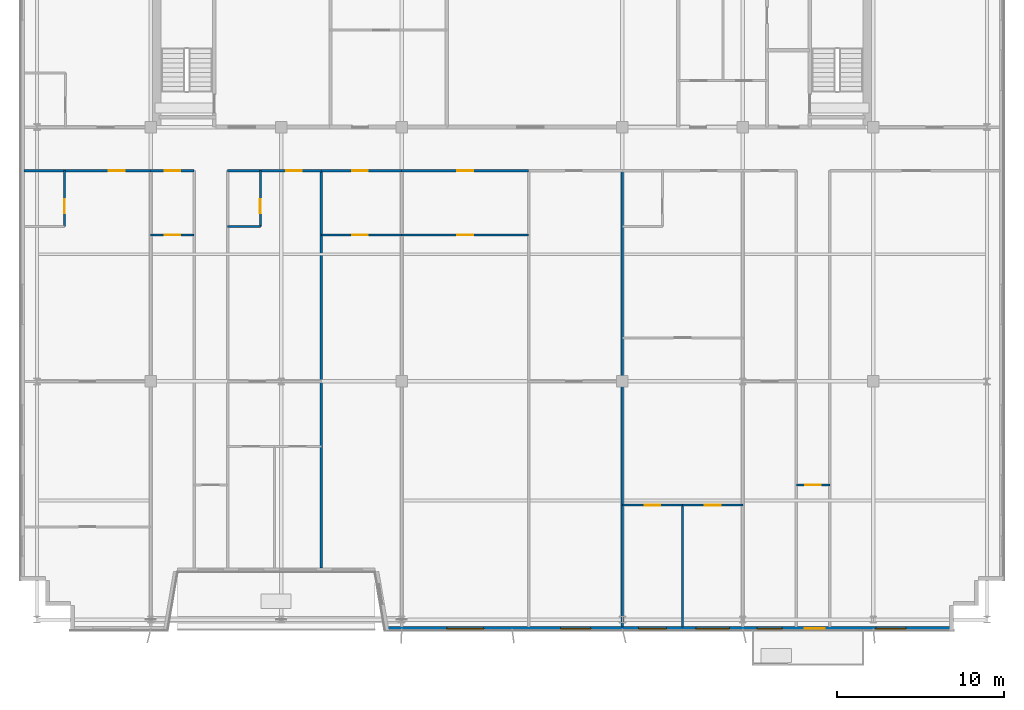
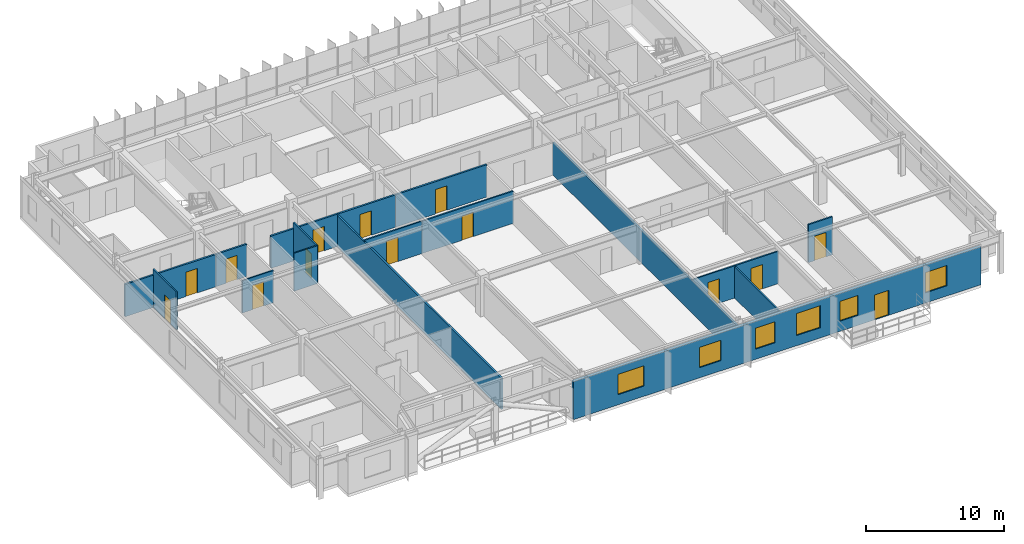
# One storey, part 15 of 20: 18 walls, 14 doors, 6 windows, 20 openings.
"""IFC4 building model written with IfcOpenShell, lengths in metres."""

from ifc_helpers import new_model, si_unit, direction, frame, frame_2d, origin, place, context, subcontext, project, spatial, rectangle, extrude, source, transform, mapped, material, layer, layer_set, type_object, element, fill, save


model = new_model("IFC4")

# Units and contexts
model_context = context("Model", 3, precision=1e-05, world=origin(), true_north=direction((0.0, 1.0)))
body_context = subcontext(model_context, "Body", "Model", "MODEL_VIEW")
ifc_project = project(units=[si_unit("LENGTHUNIT", "METRE"), si_unit("AREAUNIT", "SQUARE_METRE"), si_unit("VOLUMEUNIT", "CUBIC_METRE"), si_unit("PLANEANGLEUNIT", "RADIAN"), si_unit("MASSUNIT", "GRAM", prefix="KILO")], contexts=[model_context])

# Site, building, storey
site_placement = place(None, origin())
site = spatial("IfcSite", under=ifc_project, at=site_placement, CompositionType="ELEMENT")
building_placement = place(site_placement, origin())
building = spatial("IfcBuilding", under=site, at=building_placement, Name="Trelvane Seafront Commons", CompositionType="ELEMENT")
storey_placement = place(building_placement, frame((0.0, 0.0, 171.699951171875)))
storey = spatial("IfcBuildingStorey", under=building, at=storey_placement, Name="L45", CompositionType="ELEMENT", Elevation=171.699951171875)

# Wall, openings, door, windows
ifc_material_1 = material(Name="Precast concrete C40/50", Category="concrete")
ifc_layer_1 = layer(ifc_material_1, 0.239990234375, Name="ARCH-WALL-EXT240")
ifc_layer_set_1 = layer_set([ifc_layer_1], Name="Precast concrete C40/50")
wall_type_1 = type_object("IfcWallType", Name="ARCH-WALL-EXT240", PredefinedType="SOLIDWALL", material=ifc_layer_set_1)
wall_1_placement = place(storey_placement, frame((63.60009765625, 3.419921875, 0.0), z_axis=(0.0, 0.0, 1.0), x_axis=(-1.0, 0.0, 0.0)))
wall_1 = element("IfcWall", 1, at=wall_1_placement, inside=storey, type_object=wall_type_1, Name="EW-L45-00903", PredefinedType="SOLIDWALL", context=body_context, shape_type="SweptSolid", body=[
    extrude(rectangle(XDim=34.0, YDim=0.239990234375, at=frame_2d((17.0, 0.0))), origin(), (0.0, 0.0, 1.0), 3.35009765625),
])
opening_1_placement = place(wall_1_placement, frame((2.844970703125, 0.0, 0.89990234375)))
opening_1 = element("IfcOpeningElement", 2, at=opening_1_placement, cuts=wall_1, Name="Opening W01", PredefinedType="OPENING", context=body_context, shape_type="SweptSolid", body=[
    extrude(rectangle(XDim=1.800048828125, YDim=1.800048828125, at=frame_2d((0.89990234375, 0.89990234375))), frame((0.0, 0.1298828125, 0.0), z_axis=(0.0, -1.0, 0.0), x_axis=(1.0, 0.0, 0.0)), (0.0, 0.0, 1.0), 0.260009765625),
])
opening_2_placement = place(wall_1_placement, frame((7.68994140625, 0.0, 0.0)))
opening_2 = element("IfcOpeningElement", 3, at=opening_2_placement, cuts=wall_1, Name="Opening BD-L45-103", PredefinedType="OPENING", context=body_context, shape_type="SweptSolid", body=[
    extrude(rectangle(XDim=1.199951171875, YDim=2.199951171875, at=frame_2d((0.60009765625, 1.10009765625))), frame((0.0, 0.1298828125, 0.0), z_axis=(0.0, -1.0, 0.0), x_axis=(1.0, 0.0, 0.0)), (0.0, 0.0, 1.0), 0.260009765625),
])
opening_3_placement = place(wall_1_placement, frame((10.25, 0.0, 0.89990234375)))
opening_3 = element("IfcOpeningElement", 4, at=opening_3_placement, cuts=wall_1, Name="Opening W03", PredefinedType="OPENING", context=body_context, shape_type="SweptSolid", body=[
    extrude(rectangle(XDim=1.5, YDim=1.75, at=frame_2d((0.75, 0.875))), frame((0.0, 0.1298828125, 0.0), z_axis=(0.0, -1.0, 0.0), x_axis=(1.0, 0.0, 0.0)), (0.0, 0.0, 1.0), 0.260009765625),
])
opening_4_placement = place(wall_1_placement, frame((13.39990234375, 0.0, 0.89990234375)))
opening_4 = element("IfcOpeningElement", 5, at=opening_4_placement, cuts=wall_1, Name="Opening W06", PredefinedType="OPENING", context=body_context, shape_type="SweptSolid", body=[
    extrude(rectangle(XDim=2.0, YDim=1.949951171875, at=frame_2d((1.0, 0.97509765625))), frame((0.0, 0.1298828125, 0.0), z_axis=(0.0, -1.0, 0.0), x_axis=(1.0, 0.0, 0.0)), (0.0, 0.0, 1.0), 0.260009765625),
])
opening_5_placement = place(wall_1_placement, frame((17.175048828125, 0.0, 0.89990234375)))
opening_5 = element("IfcOpeningElement", 6, at=opening_5_placement, cuts=wall_1, Name="Opening W07", PredefinedType="OPENING", context=body_context, shape_type="SweptSolid", body=[
    extrude(rectangle(XDim=1.64990234375, YDim=1.85009765625, at=frame_2d((0.824951171875, 0.925048828125))), frame((0.0, 0.1298828125, 0.0), z_axis=(0.0, -1.0, 0.0), x_axis=(1.0, 0.0, 0.0)), (0.0, 0.0, 1.0), 0.260009765625),
])
opening_6_placement = place(wall_1_placement, frame((21.699951171875, 0.0, 0.89990234375)))
opening_6 = element("IfcOpeningElement", 7, at=opening_6_placement, cuts=wall_1, Name="Opening W01", PredefinedType="OPENING", context=body_context, shape_type="SweptSolid", body=[
    extrude(rectangle(XDim=1.800048828125, YDim=1.800048828125, at=frame_2d((0.89990234375, 0.89990234375))), frame((0.0, 0.1298828125, 0.0), z_axis=(0.0, -1.0, 0.0), x_axis=(1.0, 0.0, 0.0)), (0.0, 0.0, 1.0), 0.260009765625),
])
opening_7_placement = place(wall_1_placement, frame((28.10009765625, 0.0, 0.89990234375)))
opening_7 = element("IfcOpeningElement", 8, at=opening_7_placement, cuts=wall_1, Name="Opening W02", PredefinedType="OPENING", context=body_context, shape_type="SweptSolid", body=[
    extrude(rectangle(XDim=2.199951171875, YDim=1.800048828125, at=frame_2d((1.10009765625, 0.89990234375))), frame((0.0, 0.1298828125, 0.0), z_axis=(0.0, -1.0, 0.0), x_axis=(1.0, 0.0, 0.0)), (0.0, 0.0, 1.0), 0.260009765625),
])
ifc_material_2 = material(Name="Powder-coated aluminium frame", Category="aluminium")
door_type_1 = type_object("IfcDoorType", Name="ARCH-DR-BAL1200", OperationType="NOTDEFINED", PredefinedType="DOOR", material=ifc_material_2)
shared_shape_1 = source(origin(), body_context, "Body", "SweptSolid", [
    extrude(rectangle(XDim=1.199951171875, YDim=2.199951171875, at=frame_2d((0.60009765625, 1.10009765625))), frame((0.0, 0.02490234375, 0.0), z_axis=(0.0, -1.0, 0.0), x_axis=(1.0, 0.0, 0.0)), (0.0, 0.0, 1.0), 0.050048828125),
])
door_1_placement = place(opening_2_placement, origin())
door_1 = element("IfcDoor", 9, at=door_1_placement, inside=storey, type_object=door_type_1, Name="L45 Balcony Terrace Access Door", OperationType="SINGLE_SWING_LEFT", OverallHeight=2.199951171875, OverallWidth=1.199951171875, PredefinedType="DOOR", context=body_context, shape_type="MappedRepresentation", body=[
    mapped(shared_shape_1, transform((0.0, 0.0, 0.0), x_axis=(1.0, 0.0, 0.0), y_axis=(0.0, 1.0, 0.0), z_axis=(0.0, 0.0, 1.0), scale=1.0)),
])
fill(opening_2, door_1)
ifc_material_3 = material(Name="Low-E coastal double glazing", Category="glass")
window_type_1 = type_object("IfcWindowType", Name="ARCH-WIN-W02", PartitioningType="SINGLE_PANEL", PredefinedType="WINDOW", material=ifc_material_3)
shared_shape_2 = source(origin(), body_context, "Body", "SweptSolid", [
    extrude(rectangle(XDim=2.199951171875, YDim=1.800048828125, at=frame_2d((1.10009765625, 0.89990234375))), frame((0.0, 0.030029296875, 0.0), z_axis=(0.0, -1.0, 0.0), x_axis=(1.0, 0.0, 0.0)), (0.0, 0.0, 1.0), 0.06005859375),
])
window_1_placement = place(opening_7_placement, origin())
window_1 = element("IfcWindow", 10, at=window_1_placement, inside=storey, type_object=window_type_1, Name="WIN-L45-01084", OverallHeight=1.800048828125, OverallWidth=2.199951171875, PartitioningType="SINGLE_PANEL", PredefinedType="WINDOW", context=body_context, shape_type="MappedRepresentation", body=[
    mapped(shared_shape_2, transform((0.0, 0.0, 0.0), x_axis=(1.0, 0.0, 0.0), y_axis=(0.0, 1.0, 0.0), z_axis=(0.0, 0.0, 1.0), scale=1.0)),
])
fill(opening_7, window_1)
window_type_2 = type_object("IfcWindowType", Name="ARCH-WIN-W03", PartitioningType="SINGLE_PANEL", PredefinedType="WINDOW", material=ifc_material_3)
shared_shape_3 = source(origin(), body_context, "Body", "SweptSolid", [
    extrude(rectangle(XDim=1.5, YDim=1.75, at=frame_2d((0.75, 0.875))), frame((0.0, 0.030029296875, 0.0), z_axis=(0.0, -1.0, 0.0), x_axis=(1.0, 0.0, 0.0)), (0.0, 0.0, 1.0), 0.06005859375),
])
window_2_placement = place(opening_3_placement, origin())
window_2 = element("IfcWindow", 11, at=window_2_placement, inside=storey, type_object=window_type_2, Name="WIN-L45-01080", OverallHeight=1.75, OverallWidth=1.5, PartitioningType="SINGLE_PANEL", PredefinedType="WINDOW", context=body_context, shape_type="MappedRepresentation", body=[
    mapped(shared_shape_3, transform((0.0, 0.0, 0.0), x_axis=(1.0, 0.0, 0.0), y_axis=(0.0, 1.0, 0.0), z_axis=(0.0, 0.0, 1.0), scale=1.0)),
])
fill(opening_3, window_2)
window_type_3 = type_object("IfcWindowType", Name="ARCH-WIN-W06", PartitioningType="SINGLE_PANEL", PredefinedType="WINDOW", material=ifc_material_3)
shared_shape_4 = source(origin(), body_context, "Body", "SweptSolid", [
    extrude(rectangle(XDim=2.0, YDim=1.949951171875, at=frame_2d((1.0, 0.97509765625))), frame((0.0, 0.030029296875, 0.0), z_axis=(0.0, -1.0, 0.0), x_axis=(1.0, 0.0, 0.0)), (0.0, 0.0, 1.0), 0.06005859375),
])
window_3_placement = place(opening_4_placement, origin())
window_3 = element("IfcWindow", 12, at=window_3_placement, inside=storey, type_object=window_type_3, Name="WIN-L45-01081", OverallHeight=1.949951171875, OverallWidth=2.0, PartitioningType="SINGLE_PANEL", PredefinedType="WINDOW", context=body_context, shape_type="MappedRepresentation", body=[
    mapped(shared_shape_4, transform((0.0, 0.0, 0.0), x_axis=(1.0, 0.0, 0.0), y_axis=(0.0, 1.0, 0.0), z_axis=(0.0, 0.0, 1.0), scale=1.0)),
])
fill(opening_4, window_3)
window_type_4 = type_object("IfcWindowType", Name="ARCH-WIN-W01", PartitioningType="SINGLE_PANEL", PredefinedType="WINDOW", material=ifc_material_3)
shared_shape_5 = source(origin(), body_context, "Body", "SweptSolid", [
    extrude(rectangle(XDim=1.800048828125, YDim=1.800048828125, at=frame_2d((0.89990234375, 0.89990234375))), frame((0.0, 0.030029296875, 0.0), z_axis=(0.0, -1.0, 0.0), x_axis=(1.0, 0.0, 0.0)), (0.0, 0.0, 1.0), 0.06005859375),
])
window_4_placement = place(opening_1_placement, origin())
window_4 = element("IfcWindow", 13, at=window_4_placement, inside=storey, type_object=window_type_4, Name="WIN-L45-01079", OverallHeight=1.800048828125, OverallWidth=1.800048828125, PartitioningType="SINGLE_PANEL", PredefinedType="WINDOW", context=body_context, shape_type="MappedRepresentation", body=[
    mapped(shared_shape_5, transform((0.0, 0.0, 0.0), x_axis=(1.0, 0.0, 0.0), y_axis=(0.0, 1.0, 0.0), z_axis=(0.0, 0.0, 1.0), scale=1.0)),
])
fill(opening_1, window_4)
window_5_placement = place(opening_6_placement, origin())
window_5 = element("IfcWindow", 14, at=window_5_placement, inside=storey, type_object=window_type_4, Name="WIN-L45-01083", OverallHeight=1.800048828125, OverallWidth=1.800048828125, PartitioningType="SINGLE_PANEL", PredefinedType="WINDOW", context=body_context, shape_type="MappedRepresentation", body=[
    mapped(shared_shape_5, transform((0.0, 0.0, 0.0), x_axis=(1.0, 0.0, 0.0), y_axis=(0.0, 1.0, 0.0), z_axis=(0.0, 0.0, 1.0), scale=1.0)),
])
fill(opening_6, window_5)
window_type_5 = type_object("IfcWindowType", Name="ARCH-WIN-W07", PartitioningType="SINGLE_PANEL", PredefinedType="WINDOW", material=ifc_material_3)
shared_shape_6 = source(origin(), body_context, "Body", "SweptSolid", [
    extrude(rectangle(XDim=1.64990234375, YDim=1.85009765625, at=frame_2d((0.824951171875, 0.925048828125))), frame((0.0, 0.030029296875, 0.0), z_axis=(0.0, -1.0, 0.0), x_axis=(1.0, 0.0, 0.0)), (0.0, 0.0, 1.0), 0.06005859375),
])
window_6_placement = place(opening_5_placement, origin())
window_6 = element("IfcWindow", 15, at=window_6_placement, inside=storey, type_object=window_type_5, Name="WIN-L45-01082", OverallHeight=1.85009765625, OverallWidth=1.64990234375, PartitioningType="SINGLE_PANEL", PredefinedType="WINDOW", context=body_context, shape_type="MappedRepresentation", body=[
    mapped(shared_shape_6, transform((0.0, 0.0, 0.0), x_axis=(1.0, 0.0, 0.0), y_axis=(0.0, 1.0, 0.0), z_axis=(0.0, 0.0, 1.0), scale=1.0)),
])
fill(opening_5, window_6)

# Wall, opening, door
ifc_material_4 = material(Name="Gypsum Drywall Acoustic Partition")
ifc_layer_2 = layer(ifc_material_4, 0.1201171875, Name="ARCH-WALL-PART120")
ifc_layer_set_2 = layer_set([ifc_layer_2], Name="Gypsum Drywall Acoustic Partition")
wall_type_2 = type_object("IfcWallType", Name="ARCH-WALL-PART120", PredefinedType="PARTITIONING", material=ifc_layer_set_2)
wall_2_placement = place(storey_placement, frame((10.43994140625, 27.449951171875, 0.0), z_axis=(0.0, 0.0, 1.0), x_axis=(0.0, 1.0, 0.0)))
wall_2 = element("IfcWall", 16, at=wall_2_placement, inside=storey, type_object=wall_type_2, Name="W-L45-U1-BE-053", PredefinedType="PARTITIONING", context=body_context, shape_type="SweptSolid", body=[
    extrude(rectangle(XDim=3.35009765625, YDim=0.1201171875, at=frame_2d((1.675048828125, 0.0))), origin(), (0.0, 0.0, 1.0), 3.35009765625),
])
opening_8_placement = place(wall_2_placement, frame((0.800048828125, 0.0, 0.0)))
opening_8 = element("IfcOpeningElement", 17, at=opening_8_placement, cuts=wall_2, Name="Opening D-L45-29", PredefinedType="OPENING", context=body_context, shape_type="SweptSolid", body=[
    extrude(rectangle(XDim=0.85009765625, YDim=2.10009765625, at=frame_2d((0.425048828125, 1.050048828125))), frame((0.0, 0.070068359375, 0.0), z_axis=(0.0, -1.0, 0.0), x_axis=(1.0, 0.0, 0.0)), (0.0, 0.0, 1.0), 0.14013671875),
])
ifc_material_5 = material(Name="Acoustic timber door leaf", Category="wood")
door_type_2 = type_object("IfcDoorType", Name="ARCH-DR-INT850", OperationType="NOTDEFINED", PredefinedType="DOOR", material=ifc_material_5)
shared_shape_7 = source(origin(), body_context, "Body", "SweptSolid", [
    extrude(rectangle(XDim=0.85009765625, YDim=2.10009765625, at=frame_2d((0.425048828125, 1.050048828125))), frame((0.0, 0.02490234375, 0.0), z_axis=(0.0, -1.0, 0.0), x_axis=(1.0, 0.0, 0.0)), (0.0, 0.0, 1.0), 0.050048828125),
])
door_2_placement = place(opening_8_placement, origin())
door_2 = element("IfcDoor", 18, at=door_2_placement, inside=storey, type_object=door_type_2, Name="L45 Door 29", OperationType="SINGLE_SWING_LEFT", OverallHeight=2.10009765625, OverallWidth=0.85009765625, PredefinedType="DOOR", context=body_context, shape_type="MappedRepresentation", body=[
    mapped(shared_shape_7, transform((0.0, 0.0, 0.0), x_axis=(1.0, 0.0, 0.0), y_axis=(0.0, 1.0, 0.0), z_axis=(0.0, 0.0, 1.0), scale=1.0)),
])
fill(opening_8, door_2)

wall_3_placement = place(storey_placement, frame((15.60009765625, 26.949951171875, 0.0), z_axis=(0.0, 0.0, 1.0), x_axis=(1.0, 0.0, 0.0)))
wall_3 = element("IfcWall", 19, at=wall_3_placement, inside=storey, type_object=wall_type_2, Name="W-L45-U2-DIV-058", PredefinedType="PARTITIONING", context=body_context, shape_type="SweptSolid", body=[
    extrude(rectangle(XDim=2.599853515625, YDim=0.1201171875, at=frame_2d((1.2998046875, 0.0))), origin(), (0.0, 0.0, 1.0), 2.85009765625),
])
opening_9_placement = place(wall_3_placement, frame((0.824951171875, 0.0, 0.0)))
opening_9 = element("IfcOpeningElement", 20, at=opening_9_placement, cuts=wall_3, Name="Opening D-L45-33", PredefinedType="OPENING", context=body_context, shape_type="SweptSolid", body=[
    extrude(rectangle(XDim=0.949951171875, YDim=2.14990234375, at=frame_2d((0.47509765625, 1.074951171875))), frame((0.0, 0.070068359375, 0.0), z_axis=(0.0, -1.0, 0.0), x_axis=(1.0, 0.0, 0.0)), (0.0, 0.0, 1.0), 0.14013671875),
])
door_type_3 = type_object("IfcDoorType", Name="ARCH-DR-INT950", OperationType="NOTDEFINED", PredefinedType="DOOR", material=ifc_material_5)
shared_shape_8 = source(origin(), body_context, "Body", "SweptSolid", [
    extrude(rectangle(XDim=0.949951171875, YDim=2.14990234375, at=frame_2d((0.47509765625, 1.074951171875))), frame((0.0, 0.02490234375, 0.0), z_axis=(0.0, -1.0, 0.0), x_axis=(1.0, 0.0, 0.0)), (0.0, 0.0, 1.0), 0.050048828125),
])
door_3_placement = place(opening_9_placement, origin())
door_3 = element("IfcDoor", 21, at=door_3_placement, inside=storey, type_object=door_type_3, Name="L45 Door 33", OperationType="SINGLE_SWING_LEFT", OverallHeight=2.14990234375, OverallWidth=0.949951171875, PredefinedType="DOOR", context=body_context, shape_type="MappedRepresentation", body=[
    mapped(shared_shape_8, transform((0.0, 0.0, 0.0), x_axis=(1.0, 0.0, 0.0), y_axis=(0.0, 1.0, 0.0), z_axis=(0.0, 0.0, 1.0), scale=1.0)),
])
fill(opening_9, door_3)

wall_4_placement = place(storey_placement, frame((22.154052734375, 27.449951171875, 0.0), z_axis=(0.0, 0.0, 1.0), x_axis=(0.0, 1.0, 0.0)))
wall_4 = element("IfcWall", 22, at=wall_4_placement, inside=storey, type_object=wall_type_2, Name="W-L45-U4-BE-063", PredefinedType="PARTITIONING", context=body_context, shape_type="SweptSolid", body=[
    extrude(rectangle(XDim=3.35009765625, YDim=0.1201171875, at=frame_2d((1.675048828125, 0.0))), origin(), (0.0, 0.0, 1.0), 3.35009765625),
])
opening_10_placement = place(wall_4_placement, frame((0.800048828125, 0.0, 0.0)))
opening_10 = element("IfcOpeningElement", 23, at=opening_10_placement, cuts=wall_4, Name="Opening D-L45-36", PredefinedType="OPENING", context=body_context, shape_type="SweptSolid", body=[
    extrude(rectangle(XDim=0.85009765625, YDim=2.10009765625, at=frame_2d((0.425048828125, 1.050048828125))), frame((0.0, 0.070068359375, 0.0), z_axis=(0.0, -1.0, 0.0), x_axis=(1.0, 0.0, 0.0)), (0.0, 0.0, 1.0), 0.14013671875),
])
door_4_placement = place(opening_10_placement, origin())
door_4 = element("IfcDoor", 24, at=door_4_placement, inside=storey, type_object=door_type_2, Name="L45 Door 36", OperationType="SINGLE_SWING_RIGHT", OverallHeight=2.10009765625, OverallWidth=0.85009765625, PredefinedType="DOOR", context=body_context, shape_type="MappedRepresentation", body=[
    mapped(shared_shape_7, transform((0.0, 0.0, 0.0), x_axis=(1.0, 0.0, 0.0), y_axis=(0.0, 1.0, 0.0), z_axis=(0.0, 0.0, 1.0), scale=1.0)),
])
fill(opening_10, door_4)

# Wall
wall_5_placement = place(storey_placement, frame((20.199951171875, 27.449951171875, 0.0), z_axis=(0.0, 0.0, 1.0), x_axis=(1.0, 0.0, 0.0)))
element("IfcWall", 25, at=wall_5_placement, inside=storey, type_object=wall_type_2, Name="W-L45-U4-BS-064", PredefinedType="PARTITIONING", context=body_context, shape_type="SweptSolid", body=[
    extrude(rectangle(XDim=1.9541015625, YDim=0.1201171875, at=frame_2d((0.97705078125, 0.0))), origin(), (0.0, 0.0, 1.0), 3.35009765625),
])

# Wall, opening, door
wall_6_placement = place(storey_placement, frame((25.800048828125, 26.949951171875, 0.0), z_axis=(0.0, 0.0, 1.0), x_axis=(1.0, 0.0, 0.0)))
wall_6 = element("IfcWall", 26, at=wall_6_placement, inside=storey, type_object=wall_type_2, Name="W-L45-U5-DIV-070", PredefinedType="PARTITIONING", context=body_context, shape_type="SweptSolid", body=[
    extrude(rectangle(XDim=4.800048828125, YDim=0.1201171875, at=frame_2d((2.39990234375, 0.0))), origin(), (0.0, 0.0, 1.0), 2.85009765625),
])
opening_11_placement = place(wall_6_placement, frame((1.833984375, 0.0, 0.0)))
opening_11 = element("IfcOpeningElement", 27, at=opening_11_placement, cuts=wall_6, Name="Opening D-L45-41", PredefinedType="OPENING", context=body_context, shape_type="SweptSolid", body=[
    extrude(rectangle(XDim=0.949951171875, YDim=2.14990234375, at=frame_2d((0.47509765625, 1.074951171875))), frame((0.0, 0.070068359375, 0.0), z_axis=(0.0, -1.0, 0.0), x_axis=(1.0, 0.0, 0.0)), (0.0, 0.0, 1.0), 0.14013671875),
])
door_5_placement = place(opening_11_placement, origin())
door_5 = element("IfcDoor", 28, at=door_5_placement, inside=storey, type_object=door_type_3, Name="L45 Door 41", OperationType="SINGLE_SWING_LEFT", OverallHeight=2.14990234375, OverallWidth=0.949951171875, PredefinedType="DOOR", context=body_context, shape_type="MappedRepresentation", body=[
    mapped(shared_shape_8, transform((0.0, 0.0, 0.0), x_axis=(1.0, 0.0, 0.0), y_axis=(0.0, 1.0, 0.0), z_axis=(0.0, 0.0, 1.0), scale=1.0)),
])
fill(opening_11, door_5)

wall_7_placement = place(storey_placement, frame((30.60009765625, 26.949951171875, 0.0), z_axis=(0.0, 0.0, 1.0), x_axis=(1.0, 0.0, 0.0)))
wall_7 = element("IfcWall", 29, at=wall_7_placement, inside=storey, type_object=wall_type_2, Name="W-L45-U6-DIV-072", PredefinedType="PARTITIONING", context=body_context, shape_type="SweptSolid", body=[
    extrude(rectangle(XDim=7.599853515625, YDim=0.1201171875, at=frame_2d((3.7998046875, 0.0))), origin(), (0.0, 0.0, 1.0), 2.85009765625),
])
opening_12_placement = place(wall_7_placement, frame((3.324951171875, 0.0, 0.0)))
opening_12 = element("IfcOpeningElement", 30, at=opening_12_placement, cuts=wall_7, Name="Opening D-L45-43", PredefinedType="OPENING", context=body_context, shape_type="SweptSolid", body=[
    extrude(rectangle(XDim=0.949951171875, YDim=2.14990234375, at=frame_2d((0.47509765625, 1.074951171875))), frame((0.0, 0.070068359375, 0.0), z_axis=(0.0, -1.0, 0.0), x_axis=(1.0, 0.0, 0.0)), (0.0, 0.0, 1.0), 0.14013671875),
])
door_6_placement = place(opening_12_placement, origin())
door_6 = element("IfcDoor", 31, at=door_6_placement, inside=storey, type_object=door_type_3, Name="L45 Door 43", OperationType="SINGLE_SWING_LEFT", OverallHeight=2.14990234375, OverallWidth=0.949951171875, PredefinedType="DOOR", context=body_context, shape_type="MappedRepresentation", body=[
    mapped(shared_shape_8, transform((0.0, 0.0, 0.0), x_axis=(1.0, 0.0, 0.0), y_axis=(0.0, 1.0, 0.0), z_axis=(0.0, 0.0, 1.0), scale=1.0)),
])
fill(opening_12, door_6)

wall_8_placement = place(storey_placement, frame((43.800048828125, 10.800048828125, 0.0), z_axis=(0.0, 0.0, 1.0), x_axis=(1.0, 0.0, 0.0)))
wall_8 = element("IfcWall", 32, at=wall_8_placement, inside=storey, type_object=wall_type_2, Name="W-L45-U8-YM-1-079", PredefinedType="PARTITIONING", context=body_context, shape_type="SweptSolid", body=[
    extrude(rectangle(XDim=3.599853515625, YDim=0.1201171875, at=frame_2d((1.7998046875, 0.0))), origin(), (0.0, 0.0, 1.0), 2.85009765625),
])
opening_13_placement = place(wall_8_placement, frame((1.324951171875, 0.0, 0.0)))
opening_13 = element("IfcOpeningElement", 33, at=opening_13_placement, cuts=wall_8, Name="Opening D-L45-49", PredefinedType="OPENING", context=body_context, shape_type="SweptSolid", body=[
    extrude(rectangle(XDim=0.949951171875, YDim=2.14990234375, at=frame_2d((0.47509765625, 1.074951171875))), frame((0.0, 0.070068359375, 0.0), z_axis=(0.0, -1.0, 0.0), x_axis=(1.0, 0.0, 0.0)), (0.0, 0.0, 1.0), 0.14013671875),
])
door_7_placement = place(opening_13_placement, origin())
door_7 = element("IfcDoor", 34, at=door_7_placement, inside=storey, type_object=door_type_3, Name="L45 Door 49", OperationType="SINGLE_SWING_LEFT", OverallHeight=2.14990234375, OverallWidth=0.949951171875, PredefinedType="DOOR", context=body_context, shape_type="MappedRepresentation", body=[
    mapped(shared_shape_8, transform((0.0, 0.0, 0.0), x_axis=(1.0, 0.0, 0.0), y_axis=(0.0, 1.0, 0.0), z_axis=(0.0, 0.0, 1.0), scale=1.0)),
])
fill(opening_13, door_7)

wall_9_placement = place(storey_placement, frame((47.39990234375, 10.800048828125, 0.0), z_axis=(0.0, 0.0, 1.0), x_axis=(1.0, 0.0, 0.0)))
wall_9 = element("IfcWall", 35, at=wall_9_placement, inside=storey, type_object=wall_type_2, Name="W-L45-U8-YM-2-080", PredefinedType="PARTITIONING", context=body_context, shape_type="SweptSolid", body=[
    extrude(rectangle(XDim=3.60009765625, YDim=0.1201171875, at=frame_2d((1.800048828125, 0.0))), origin(), (0.0, 0.0, 1.0), 2.85009765625),
])
opening_14_placement = place(wall_9_placement, frame((1.324951171875, 0.0, 0.0)))
opening_14 = element("IfcOpeningElement", 36, at=opening_14_placement, cuts=wall_9, Name="Opening D-L45-50", PredefinedType="OPENING", context=body_context, shape_type="SweptSolid", body=[
    extrude(rectangle(XDim=0.949951171875, YDim=2.14990234375, at=frame_2d((0.47509765625, 1.074951171875))), frame((0.0, 0.070068359375, 0.0), z_axis=(0.0, -1.0, 0.0), x_axis=(1.0, 0.0, 0.0)), (0.0, 0.0, 1.0), 0.14013671875),
])
door_8_placement = place(opening_14_placement, origin())
door_8 = element("IfcDoor", 37, at=door_8_placement, inside=storey, type_object=door_type_3, Name="L45 Door 50", OperationType="SINGLE_SWING_RIGHT", OverallHeight=2.14990234375, OverallWidth=0.949951171875, PredefinedType="DOOR", context=body_context, shape_type="MappedRepresentation", body=[
    mapped(shared_shape_8, transform((0.0, 0.0, 0.0), x_axis=(1.0, 0.0, 0.0), y_axis=(0.0, 1.0, 0.0), z_axis=(0.0, 0.0, 1.0), scale=1.0)),
])
fill(opening_14, door_8)

# Wall
wall_10_placement = place(storey_placement, frame((47.39990234375, 3.52490234375, 0.0), z_axis=(0.0, 0.0, 1.0), x_axis=(0.0, 1.0, 0.0)))
element("IfcWall", 38, at=wall_10_placement, inside=storey, type_object=wall_type_2, Name="W-L45-U8-BDV-1-081", PredefinedType="PARTITIONING", context=body_context, shape_type="SweptSolid", body=[
    extrude(rectangle(XDim=7.275146484375, YDim=0.1201171875, at=frame_2d((3.6376953125, 0.0))), origin(), (0.0, 0.0, 1.0), 2.75),
])

# Wall, opening, door
wall_11_placement = place(storey_placement, frame((54.199951171875, 12.0, 0.0), z_axis=(0.0, 0.0, 1.0), x_axis=(1.0, 0.0, 0.0)))
wall_11 = element("IfcWall", 39, at=wall_11_placement, inside=storey, type_object=wall_type_2, Name="W-L45-ARM-END-10-086", PredefinedType="PARTITIONING", context=body_context, shape_type="SweptSolid", body=[
    extrude(rectangle(XDim=2.0, YDim=0.1201171875, at=frame_2d((1.0, 0.0))), origin(), (0.0, 0.0, 1.0), 3.35009765625),
])
opening_15_placement = place(wall_11_placement, frame((0.52001953125, 0.0, 0.0)))
opening_15 = element("IfcOpeningElement", 40, at=opening_15_placement, cuts=wall_11, Name="Opening D-L45-53", PredefinedType="OPENING", context=body_context, shape_type="SweptSolid", body=[
    extrude(rectangle(XDim=0.949951171875, YDim=2.14990234375, at=frame_2d((0.47509765625, 1.074951171875))), frame((0.0, 0.070068359375, 0.0), z_axis=(0.0, -1.0, 0.0), x_axis=(1.0, 0.0, 0.0)), (0.0, 0.0, 1.0), 0.14013671875),
])
door_9_placement = place(opening_15_placement, origin())
door_9 = element("IfcDoor", 41, at=door_9_placement, inside=storey, type_object=door_type_3, Name="L45 Door 53", OperationType="SINGLE_SWING_LEFT", OverallHeight=2.14990234375, OverallWidth=0.949951171875, PredefinedType="DOOR", context=body_context, shape_type="MappedRepresentation", body=[
    mapped(shared_shape_8, transform((0.0, 0.0, 0.0), x_axis=(1.0, 0.0, 0.0), y_axis=(0.0, 1.0, 0.0), z_axis=(0.0, 0.0, 1.0), scale=1.0)),
])
fill(opening_15, door_9)

# Walls
ifc_layer_3 = layer(ifc_material_4, 0.14990234375, Name="ARCH-WALL-PART150")
ifc_layer_set_3 = layer_set([ifc_layer_3], Name="Gypsum Drywall Acoustic Partition")
wall_type_3 = type_object("IfcWallType", Name="ARCH-WALL-PART150", PredefinedType="PARTITIONING", material=ifc_layer_set_3)
wall_12_placement = place(storey_placement, frame((25.800048828125, 7.02490234375, 0.0), z_axis=(0.0, 0.0, 1.0), x_axis=(0.0, 1.0, 0.0)))
element("IfcWall", 42, at=wall_12_placement, inside=storey, type_object=wall_type_3, Name="W-L45-PW-4-047", PredefinedType="PARTITIONING", context=body_context, shape_type="SweptSolid", body=[
    extrude(rectangle(XDim=23.775146484375, YDim=0.14990234375, at=frame_2d((11.8876953125, 0.0))), origin(), (0.0, 0.0, 1.0), 2.75),
])
wall_13_placement = place(storey_placement, frame((43.800048828125, 3.52490234375, 0.0), z_axis=(0.0, 0.0, 1.0), x_axis=(0.0, 1.0, 0.0)))
element("IfcWall", 43, at=wall_13_placement, inside=storey, type_object=wall_type_3, Name="W-L45-PW-7-050", PredefinedType="PARTITIONING", context=body_context, shape_type="SweptSolid", body=[
    extrude(rectangle(XDim=27.275146484375, YDim=0.14990234375, at=frame_2d((13.6376953125, 0.0))), origin(), (0.0, 0.0, 1.0), 2.85009765625),
])

# Wall, opening, door
wall_14_placement = place(storey_placement, frame((8.02490234375, 30.800048828125, 0.0), z_axis=(0.0, 0.0, 1.0), x_axis=(1.0, 0.0, 0.0)))
wall_14 = element("IfcWall", 44, at=wall_14_placement, inside=storey, type_object=wall_type_3, Name="W-L45-CS-BAY-1-055", PredefinedType="PARTITIONING", context=body_context, shape_type="SweptSolid", body=[
    extrude(rectangle(XDim=7.5751953125, YDim=0.14990234375, at=frame_2d((3.78759765625, 0.0))), origin(), (0.0, 0.0, 1.0), 2.85009765625),
])
opening_16_placement = place(wall_14_placement, frame((5.072998046875, 0.0, 0.0)))
opening_16 = element("IfcOpeningElement", 45, at=opening_16_placement, cuts=wall_14, Name="Opening FD-L45-30", PredefinedType="OPENING", context=body_context, shape_type="SweptSolid", body=[
    extrude(rectangle(XDim=0.949951171875, YDim=2.14990234375, at=frame_2d((0.47509765625, 1.074951171875))), frame((0.0, 0.0849609375, 0.0), z_axis=(0.0, -1.0, 0.0), x_axis=(1.0, 0.0, 0.0)), (0.0, 0.0, 1.0), 0.169921875),
])
door_type_4 = type_object("IfcDoorType", Name="ARCH-DR-FD60-950", OperationType="NOTDEFINED", PredefinedType="DOOR", material=ifc_material_2)
door_10_placement = place(opening_16_placement, origin())
door_10 = element("IfcDoor", 46, at=door_10_placement, inside=storey, type_object=door_type_4, Name="L45 Unit 01 Entrance Door", OperationType="SINGLE_SWING_RIGHT", OverallHeight=2.14990234375, OverallWidth=0.949951171875, PredefinedType="DOOR", context=body_context, shape_type="MappedRepresentation", body=[
    mapped(shared_shape_8, transform((0.0, 0.0, 0.0), x_axis=(1.0, 0.0, 0.0), y_axis=(0.0, 1.0, 0.0), z_axis=(0.0, 0.0, 1.0), scale=1.0)),
])
fill(opening_16, door_10)

wall_15_placement = place(storey_placement, frame((15.60009765625, 30.800048828125, 0.0), z_axis=(0.0, 0.0, 1.0), x_axis=(1.0, 0.0, 0.0)))
wall_15 = element("IfcWall", 47, at=wall_15_placement, inside=storey, type_object=wall_type_3, Name="W-L45-CS-BAY-2-057", PredefinedType="PARTITIONING", context=body_context, shape_type="SweptSolid", body=[
    extrude(rectangle(XDim=2.599853515625, YDim=0.14990234375, at=frame_2d((1.2998046875, 0.0))), origin(), (0.0, 0.0, 1.0), 2.85009765625),
])
opening_17_placement = place(wall_15_placement, frame((0.824951171875, 0.0, 0.0)))
opening_17 = element("IfcOpeningElement", 48, at=opening_17_placement, cuts=wall_15, Name="Opening FD-L45-32", PredefinedType="OPENING", context=body_context, shape_type="SweptSolid", body=[
    extrude(rectangle(XDim=0.949951171875, YDim=2.14990234375, at=frame_2d((0.47509765625, 1.074951171875))), frame((0.0, 0.0849609375, 0.0), z_axis=(0.0, -1.0, 0.0), x_axis=(1.0, 0.0, 0.0)), (0.0, 0.0, 1.0), 0.169921875),
])
door_11_placement = place(opening_17_placement, origin())
door_11 = element("IfcDoor", 49, at=door_11_placement, inside=storey, type_object=door_type_4, Name="L45 Bay 02 Entrance Door", OperationType="SINGLE_SWING_RIGHT", OverallHeight=2.14990234375, OverallWidth=0.949951171875, PredefinedType="DOOR", context=body_context, shape_type="MappedRepresentation", body=[
    mapped(shared_shape_8, transform((0.0, 0.0, 0.0), x_axis=(1.0, 0.0, 0.0), y_axis=(0.0, 1.0, 0.0), z_axis=(0.0, 0.0, 1.0), scale=1.0)),
])
fill(opening_17, door_11)

wall_16_placement = place(storey_placement, frame((20.199951171875, 30.800048828125, 0.0), z_axis=(0.0, 0.0, 1.0), x_axis=(1.0, 0.0, 0.0)))
wall_16 = element("IfcWall", 50, at=wall_16_placement, inside=storey, type_object=wall_type_3, Name="W-L45-CS-BAY-4-065", PredefinedType="PARTITIONING", context=body_context, shape_type="SweptSolid", body=[
    extrude(rectangle(XDim=5.60009765625, YDim=0.14990234375, at=frame_2d((2.800048828125, 0.0))), origin(), (0.0, 0.0, 1.0), 2.85009765625),
])
opening_18_placement = place(wall_16_placement, frame((3.491943359375, 0.0, 0.0)))
opening_18 = element("IfcOpeningElement", 51, at=opening_18_placement, cuts=wall_16, Name="Opening FD-L45-37", PredefinedType="OPENING", context=body_context, shape_type="SweptSolid", body=[
    extrude(rectangle(XDim=0.949951171875, YDim=2.14990234375, at=frame_2d((0.47509765625, 1.074951171875))), frame((0.0, 0.0849609375, 0.0), z_axis=(0.0, -1.0, 0.0), x_axis=(1.0, 0.0, 0.0)), (0.0, 0.0, 1.0), 0.169921875),
])
door_12_placement = place(opening_18_placement, origin())
door_12 = element("IfcDoor", 52, at=door_12_placement, inside=storey, type_object=door_type_4, Name="L45 Unit 04 Entrance Door", OperationType="SINGLE_SWING_LEFT", OverallHeight=2.14990234375, OverallWidth=0.949951171875, PredefinedType="DOOR", context=body_context, shape_type="MappedRepresentation", body=[
    mapped(shared_shape_8, transform((0.0, 0.0, 0.0), x_axis=(1.0, 0.0, 0.0), y_axis=(0.0, 1.0, 0.0), z_axis=(0.0, 0.0, 1.0), scale=1.0)),
])
fill(opening_18, door_12)

wall_17_placement = place(storey_placement, frame((25.800048828125, 30.800048828125, 0.0), z_axis=(0.0, 0.0, 1.0), x_axis=(1.0, 0.0, 0.0)))
wall_17 = element("IfcWall", 53, at=wall_17_placement, inside=storey, type_object=wall_type_3, Name="W-L45-CS-BAY-5-069", PredefinedType="PARTITIONING", context=body_context, shape_type="SweptSolid", body=[
    extrude(rectangle(XDim=4.800048828125, YDim=0.14990234375, at=frame_2d((2.39990234375, 0.0))), origin(), (0.0, 0.0, 1.0), 2.85009765625),
])
opening_19_placement = place(wall_17_placement, frame((1.833984375, 0.0, 0.0)))
opening_19 = element("IfcOpeningElement", 54, at=opening_19_placement, cuts=wall_17, Name="Opening FD-L45-40", PredefinedType="OPENING", context=body_context, shape_type="SweptSolid", body=[
    extrude(rectangle(XDim=0.949951171875, YDim=2.14990234375, at=frame_2d((0.47509765625, 1.074951171875))), frame((0.0, 0.0849609375, 0.0), z_axis=(0.0, -1.0, 0.0), x_axis=(1.0, 0.0, 0.0)), (0.0, 0.0, 1.0), 0.169921875),
])
door_13_placement = place(opening_19_placement, origin())
door_13 = element("IfcDoor", 55, at=door_13_placement, inside=storey, type_object=door_type_4, Name="L45 Bay 05 Entrance Door", OperationType="SINGLE_SWING_RIGHT", OverallHeight=2.14990234375, OverallWidth=0.949951171875, PredefinedType="DOOR", context=body_context, shape_type="MappedRepresentation", body=[
    mapped(shared_shape_8, transform((0.0, 0.0, 0.0), x_axis=(1.0, 0.0, 0.0), y_axis=(0.0, 1.0, 0.0), z_axis=(0.0, 0.0, 1.0), scale=1.0)),
])
fill(opening_19, door_13)

wall_18_placement = place(storey_placement, frame((30.60009765625, 30.800048828125, 0.0), z_axis=(0.0, 0.0, 1.0), x_axis=(1.0, 0.0, 0.0)))
wall_18 = element("IfcWall", 56, at=wall_18_placement, inside=storey, type_object=wall_type_3, Name="W-L45-CS-BAY-6-071", PredefinedType="PARTITIONING", context=body_context, shape_type="SweptSolid", body=[
    extrude(rectangle(XDim=7.599853515625, YDim=0.14990234375, at=frame_2d((3.7998046875, 0.0))), origin(), (0.0, 0.0, 1.0), 2.85009765625),
])
opening_20_placement = place(wall_18_placement, frame((3.324951171875, 0.0, 0.0)))
opening_20 = element("IfcOpeningElement", 57, at=opening_20_placement, cuts=wall_18, Name="Opening FD-L45-42", PredefinedType="OPENING", context=body_context, shape_type="SweptSolid", body=[
    extrude(rectangle(XDim=0.949951171875, YDim=2.14990234375, at=frame_2d((0.47509765625, 1.074951171875))), frame((0.0, 0.0849609375, 0.0), z_axis=(0.0, -1.0, 0.0), x_axis=(1.0, 0.0, 0.0)), (0.0, 0.0, 1.0), 0.169921875),
])
door_14_placement = place(opening_20_placement, origin())
door_14 = element("IfcDoor", 58, at=door_14_placement, inside=storey, type_object=door_type_4, Name="L45 Bay 06 Entrance Door", OperationType="SINGLE_SWING_RIGHT", OverallHeight=2.14990234375, OverallWidth=0.949951171875, PredefinedType="DOOR", context=body_context, shape_type="MappedRepresentation", body=[
    mapped(shared_shape_8, transform((0.0, 0.0, 0.0), x_axis=(1.0, 0.0, 0.0), y_axis=(0.0, 1.0, 0.0), z_axis=(0.0, 0.0, 1.0), scale=1.0)),
])
fill(opening_20, door_14)

save(model, "model.ifc")
